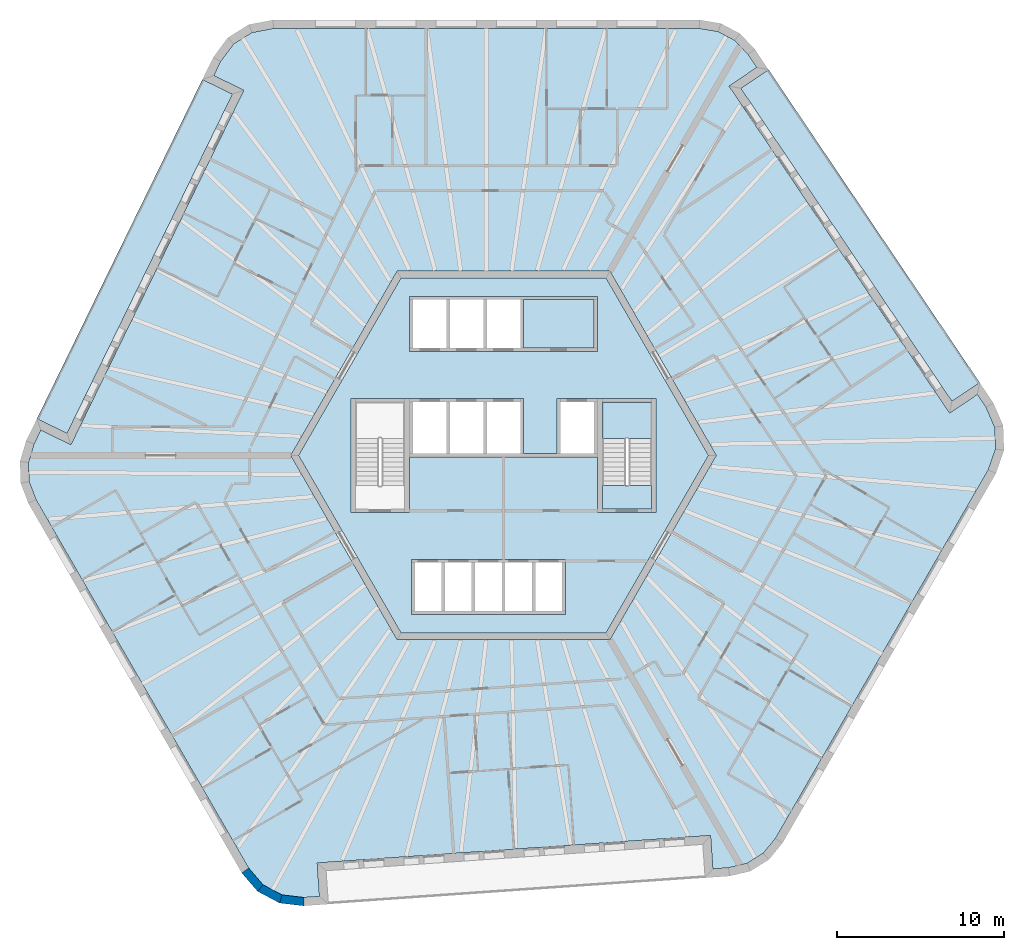
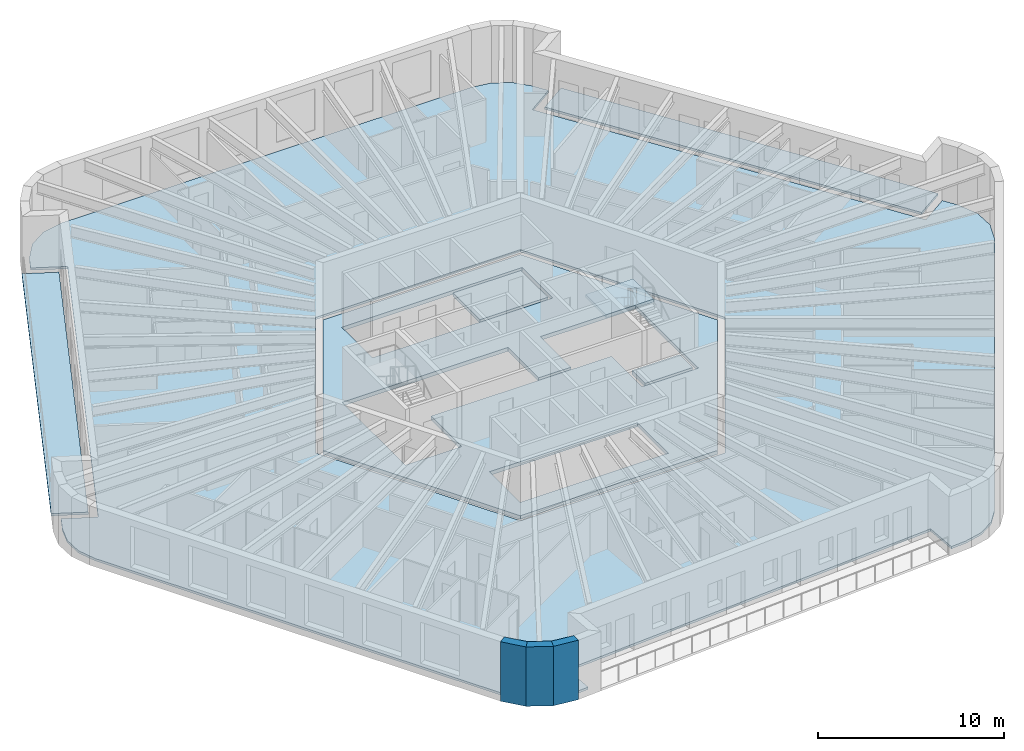
# One storey, part 2 of 12: 7 slabs, 3 walls, 1 element without a shape of its own.
"""IFC4 building model written with IfcOpenShell, lengths in metres."""

from ifc_helpers import new_model, si_unit, direction, frame, origin, place, context, subcontext, project, spatial, polyline, outline, extrude, material, layer, layer_set, type_object, element, aggregate, save


model = new_model("IFC4")

# Units and contexts
model_context = context("Model", 3, precision=1e-05, world=origin(), true_north=direction((0.0, 1.0)))
body_context = subcontext(model_context, "Body", "Model", "MODEL_VIEW")
ifc_project = project(units=[si_unit("LENGTHUNIT", "METRE"), si_unit("AREAUNIT", "SQUARE_METRE"), si_unit("VOLUMEUNIT", "CUBIC_METRE"), si_unit("PLANEANGLEUNIT", "RADIAN"), si_unit("MASSUNIT", "GRAM", prefix="KILO")], contexts=[model_context])

# Site, building, storey
site_placement = place(None, origin())
site = spatial("IfcSite", under=ifc_project, at=site_placement, CompositionType="ELEMENT")
building_placement = place(site_placement, origin())
building = spatial("IfcBuilding", under=site, at=building_placement, Name="Tarnside Tower", CompositionType="ELEMENT")
storey_placement = place(building_placement, frame((0.0, 0.0, 264.0)))
storey = spatial("IfcBuildingStorey", under=building, at=storey_placement, Name="L63", CompositionType="ELEMENT", Elevation=264.0)

# Slabs
ifc_material_1 = material(Name="Concrete C35/45", Category="concrete")
ifc_layer_1 = layer(ifc_material_1, 0.14990234375)
ifc_layer_set_1 = layer_set([ifc_layer_1], Name="Composite floor slab 150")
slab_type_1 = type_object("IfcSlabType", Name="Composite floor slab 150", PredefinedType="FLOOR", material=ifc_layer_set_1)
slab_1_placement = place(storey_placement, frame((0.0, 0.0, -0.14990234375)))
element("IfcSlab", 1, at=slab_1_placement, inside=storey, type_object=slab_type_1, Name="Floor slab L63", PredefinedType="FLOOR", context=body_context, shape_type="SweptSolid", body=[
    extrude(outline(polyline([(12.81689453125, 25.312744140625), (13.818115234375, 24.7802734375), (14.610595703125, 23.940185546875), (15.130615234375, 23.169677734375), (13.472412109375, 22.05126953125), (26.638427734375, 2.53173828125), (28.29638671875, 3.650146484375), (28.814697265625, 2.8818359375), (29.336669921875, 1.671875), (29.3818359375, 0.378662109375), (28.945556640625, -0.864990234375), (16.2451171875, -22.86279296875), (15.51318359375, -23.756103515625), (14.55126953125, -24.35693359375), (13.427490234375, -24.623291015625), (12.500244140625, -24.688232421875), (12.360595703125, -22.693115234375), (-11.126708984375, -24.33544921875), (-10.9873046875, -26.33056640625), (-11.91162109375, -26.395263671875), (-13.220458984375, -26.2421875), (-14.363037109375, -25.634765625), (-15.2216796875, -24.635009765625), (-27.922119140625, -2.63720703125), (-28.329833984375, -1.556640625), (-28.369384765625, -0.42333984375), (-28.0380859375, 0.68310546875), (-27.630615234375, 1.5185546875), (-25.8330078125, 0.641845703125), (-15.51171875, 21.8037109375), (-17.309326171875, 22.680419921875), (-16.903076171875, 23.51318359375), (-16.1162109375, 24.5703125), (-15.018798828125, 25.256103515625), (-13.723876953125, 25.5), (11.67724609375, 25.5), (12.81689453125, 25.312744140625)]), holes=[polyline([(-12.70166015625, 0.0), (-6.350830078125, -11.0), (6.350830078125, -11.0), (12.70166015625, 0.0), (6.350830078125, 11.0), (-6.350830078125, 11.0), (-12.70166015625, 0.0)])]), origin(), (0.0, 0.0, 1.0), 0.14990234375),
])
ifc_material_2 = material(Name="Concrete C40/50", Category="concrete")
ifc_layer_2 = layer(ifc_material_2, 0.25)
ifc_layer_set_2 = layer_set([ifc_layer_2], Name="Core slab C40/50")
slab_type_2 = type_object("IfcSlabType", Name="Core slab C40/50", PredefinedType="FLOOR", material=ifc_layer_set_2)
slab_2_placement = place(storey_placement, frame((0.0, 0.0, -0.25)))
element("IfcSlab", 2, at=slab_2_placement, inside=storey, type_object=slab_type_2, Name="L63 core floor slab 1", PredefinedType="FLOOR", context=body_context, shape_type="SweptSolid", body=[
    extrude(outline(polyline([(6.119873046875, 10.60009765625), (12.23974609375, 0.0), (6.119873046875, -10.60009765625), (-6.119873046875, -10.60009765625), (-12.23974609375, 0.0), (-6.119873046875, 10.60009765625), (6.119873046875, 10.60009765625)]), holes=[polyline([(-5.5, -9.5), (3.699951171875, -9.5), (3.699951171875, -9.300048828125), (3.699951171875, -6.39990234375), (3.699951171875, -6.199951171875), (-5.5, -6.199951171875), (-5.5, -6.39990234375), (-5.5, -9.300048828125), (-5.5, -9.5)]), polyline([(-5.60009765625, -3.39990234375), (-5.60009765625, -0.10009765625), (5.60009765625, -0.10009765625), (5.60009765625, -3.39990234375), (5.89990234375, -3.39990234375), (8.85009765625, -3.39990234375), (9.10009765625, -3.39990234375), (9.10009765625, 3.39990234375), (8.85009765625, 3.39990234375), (5.89990234375, 3.39990234375), (5.60009765625, 3.39990234375), (3.39990234375, 3.39990234375), (3.199951171875, 3.39990234375), (3.199951171875, 0.10009765625), (1.199951171875, 0.10009765625), (1.199951171875, 3.39990234375), (1.0, 3.39990234375), (-5.60009765625, 3.39990234375), (-5.89990234375, 3.39990234375), (-8.85009765625, 3.39990234375), (-9.10009765625, 3.39990234375), (-9.10009765625, -3.39990234375), (-8.85009765625, -3.39990234375), (-5.89990234375, -3.39990234375), (-5.60009765625, -3.39990234375)]), polyline([(-5.60009765625, 6.199951171875), (5.60009765625, 6.199951171875), (5.60009765625, 6.39990234375), (5.60009765625, 9.300048828125), (5.60009765625, 9.5), (-5.60009765625, 9.5), (-5.60009765625, 9.300048828125), (-5.60009765625, 6.39990234375), (-5.60009765625, 6.199951171875)])]), origin(), (0.0, 0.0, 1.0), 0.25),
])
slab_3_placement = place(storey_placement, frame((0.0, 0.0, -0.25)))
element("IfcSlab", 3, at=slab_3_placement, inside=storey, type_object=slab_type_2, Name="L63 core floor slab 3", PredefinedType="FLOOR", context=body_context, shape_type="SweptSolid", body=[
    extrude(outline(polyline([(5.89990234375, -1.800048828125), (8.85009765625, -1.800048828125), (8.85009765625, -3.199951171875), (5.89990234375, -3.199951171875), (5.89990234375, -1.800048828125)])), origin(), (0.0, 0.0, 1.0), 0.25),
])
slab_4_placement = place(storey_placement, frame((0.0, 0.0, -0.25)))
element("IfcSlab", 4, at=slab_4_placement, inside=storey, type_object=slab_type_2, Name="L63 core floor slab 4", PredefinedType="FLOOR", context=body_context, shape_type="SweptSolid", body=[
    extrude(outline(polyline([(5.39990234375, 6.39990234375), (1.199951171875, 6.39990234375), (1.199951171875, 9.300048828125), (5.39990234375, 9.300048828125), (5.39990234375, 6.39990234375)])), origin(), (0.0, 0.0, 1.0), 0.25),
])
ifc_material_3 = material(Name="Timber decking", Category="wood")
ifc_layer_3 = layer(ifc_material_3, 0.0400390625)
ifc_material_4 = material(Name="Concrete C60/75 precast", Category="concrete")
ifc_layer_4 = layer(ifc_material_4, 0.110107421875)
ifc_layer_set_3 = layer_set([ifc_layer_3, ifc_layer_4], Name="Loggia deck 150")
slab_type_3 = type_object("IfcSlabType", Name="Loggia deck 150", PredefinedType="FLOOR", material=ifc_layer_set_3)
slab_5_placement = place(storey_placement, frame((0.0, 0.0, -0.14990234375)))
element("IfcSlab", 5, at=slab_5_placement, inside=storey, type_object=slab_type_3, Name="Loggia deck L63 F2", PredefinedType="FLOOR", context=body_context, shape_type="SweptSolid", body=[
    extrude(outline(polyline([(-16.180419921875, 21.573486328125), (-26.063232421875, 1.310302734375), (-27.86083984375, 2.187255859375), (-17.97802734375, 22.4501953125), (-16.180419921875, 21.573486328125)])), origin(), (0.0, 0.0, 1.0), 0.14990234375),
])
slab_6_placement = place(storey_placement, frame((0.0, 0.0, -0.14990234375)))
element("IfcSlab", 6, at=slab_6_placement, inside=storey, type_object=slab_type_3, Name="Loggia deck L63 F6", PredefinedType="FLOOR", context=body_context, shape_type="SweptSolid", body=[
    extrude(outline(polyline([(26.7734375, 3.225830078125), (14.16650390625, 21.916259765625), (15.82470703125, 23.03466796875), (28.431396484375, 4.34423828125), (26.7734375, 3.225830078125)])), origin(), (0.0, 0.0, 1.0), 0.14990234375),
])

# Stair, slab
stair_type = type_object("IfcStairType", Name="Exit stair 1400 clear", PredefinedType="HALF_TURN_STAIR", material=ifc_material_2)
stair_placement = place(storey_placement, origin())
stair = element("IfcStair", 7, at=stair_placement, inside=storey, type_object=stair_type, Name="L63 Exit stair 1", PredefinedType="HALF_TURN_STAIR")
ifc_layer_5 = layer(ifc_material_2, 0.199951171875)
ifc_layer_set_4 = layer_set([ifc_layer_5], Name="Stair landing 200 C40/50")
slab_type_4 = type_object("IfcSlabType", Name="Stair landing 200 C40/50", PredefinedType="LANDING", material=ifc_layer_set_4)
slab_7_placement = place(storey_placement, frame((0.0, 0.0, 1.75)))
slab_7 = element("IfcSlab", 8, at=slab_7_placement, type_object=slab_type_4, Name="ST1 landing 1", PredefinedType="LANDING", context=body_context, shape_type="SweptSolid", body=[
    extrude(outline(polyline([(8.85009765625, 1.0), (8.85009765625, 3.199951171875), (5.89990234375, 3.199951171875), (5.89990234375, 1.0), (8.85009765625, 1.0)])), origin(), (0.0, 0.0, 1.0), 0.199951171875),
])
aggregate(stair, [slab_7])

# Walls
ifc_material_5 = material(Name="Facing brick", Category="masonry")
ifc_layer_6 = layer(ifc_material_5, 0.10205078125)
ifc_layer_7 = layer(ifc_material_4, 0.298095703125)
ifc_material_6 = material(Name="Mineral wool insulation")
ifc_layer_8 = layer(ifc_material_6, 0.10009765625)
ifc_layer_set_5 = layer_set([ifc_layer_6, ifc_layer_7, ifc_layer_8], Name="Tube wall 500 brick faced")
wall_type = type_object("IfcWallType", Name="Tube wall 500 brick faced", PredefinedType="SOLIDWALL", material=ifc_layer_set_5)
wall_1_placement = place(storey_placement, frame((-15.426513671875, -24.7802734375, -0.14990234375), z_axis=(0.0, 0.0, 1.0), x_axis=(0.651616566281, -0.758548515619, 0.0)))
element("IfcWall", 9, at=wall_1_placement, inside=storey, type_object=wall_type, Name="Tube wall L63 F3 chord 13", PredefinedType="SOLIDWALL", context=body_context, shape_type="SweptSolid", body=[
    extrude(outline(polyline([(-0.0234375, -0.25), (1.435302734375, -0.25), (1.341064453125, 0.25), (0.0234375, 0.25), (-0.0234375, -0.25)])), origin(), (0.0, 0.0, 1.0), 3.89990234375),
])
wall_2_placement = place(storey_placement, frame((-14.52197265625, -25.833251953125, -0.14990234375), z_axis=(0.0, 0.0, 1.0), x_axis=(0.882926676147, -0.469510899286, 0.0)))
element("IfcWall", 10, at=wall_2_placement, inside=storey, type_object=wall_type, Name="Tube wall L63 F3 chord 14", PredefinedType="SOLIDWALL", context=body_context, shape_type="SweptSolid", body=[
    extrude(outline(polyline([(-0.047119140625, -0.25), (1.435546875, -0.25), (1.34130859375, 0.25), (0.047119140625, 0.25), (-0.047119140625, -0.25)])), origin(), (0.0, 0.0, 1.0), 3.89990234375),
])
wall_3_placement = place(storey_placement, frame((-13.296142578125, -26.485107421875, -0.14990234375), z_axis=(0.0, 0.0, 1.0), x_axis=(0.993239161627, -0.116086036245, 0.0)))
element("IfcWall", 11, at=wall_3_placement, inside=storey, type_object=wall_type, Name="Tube wall L63 F3 chord 15", PredefinedType="SOLIDWALL", context=body_context, shape_type="SweptSolid", body=[
    extrude(outline(polyline([(-0.047119140625, -0.25), (1.411376953125, -0.25), (1.364501953125, 0.25), (0.047119140625, 0.25), (-0.047119140625, -0.25)])), origin(), (0.0, 0.0, 1.0), 3.89990234375),
])

save(model, "model.ifc")
